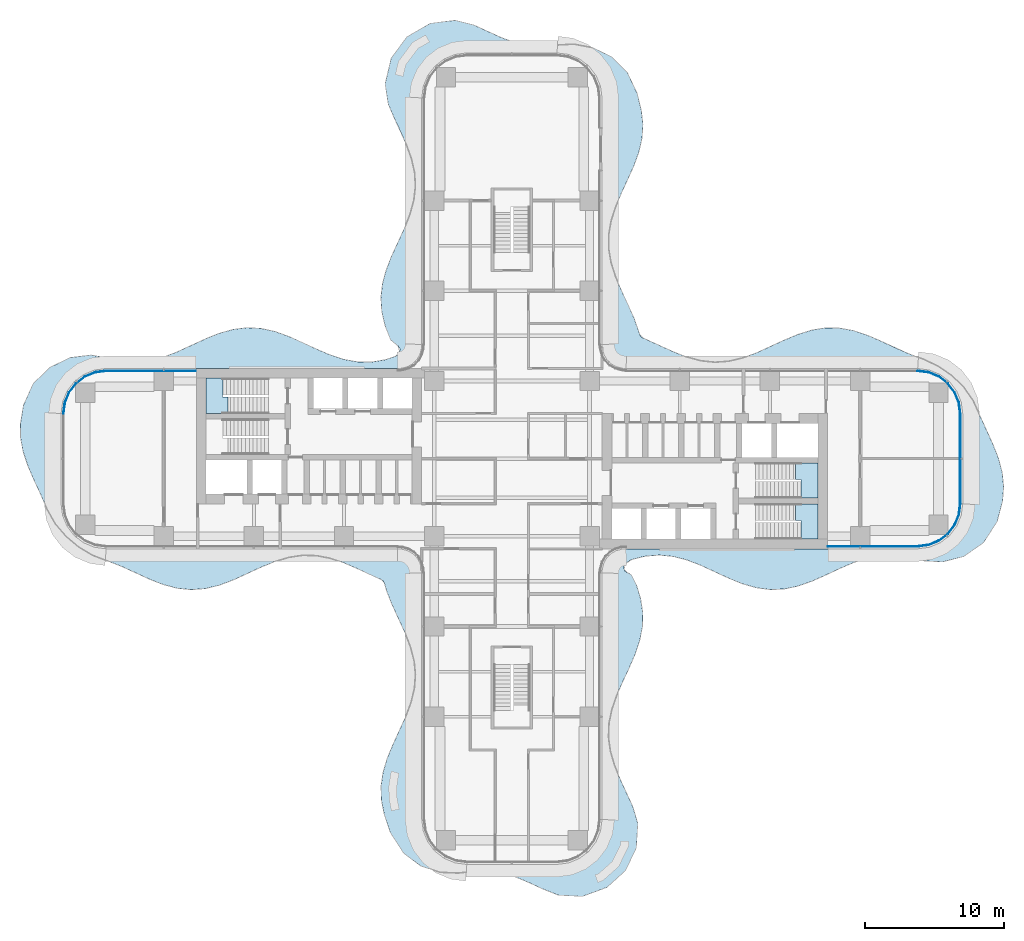
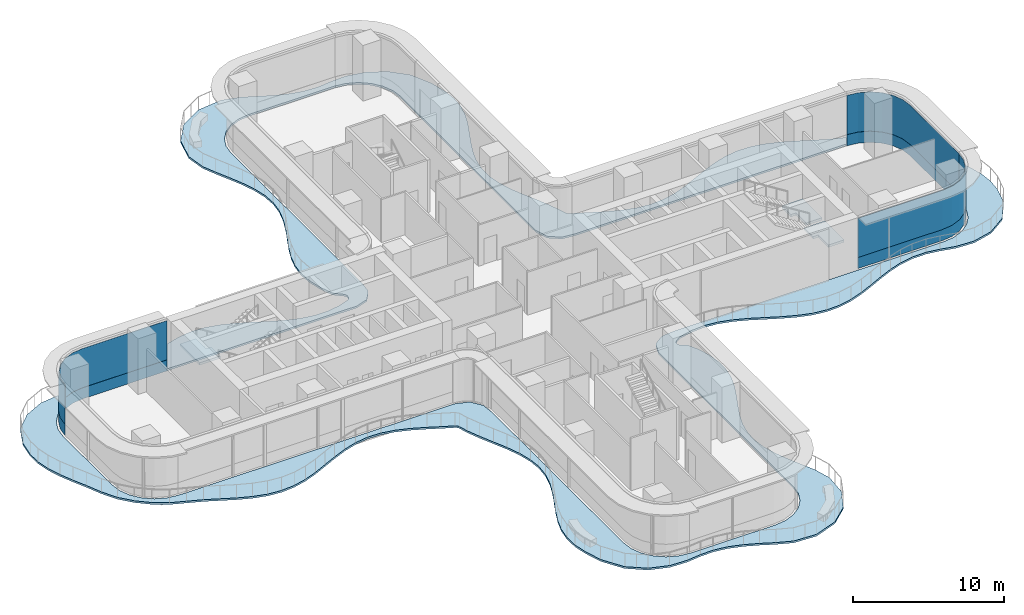
# One storey, part 15 of 22: 6 plates, 4 slabs, 6 elements without a shape of their own.
"""IFC4 building model written with IfcOpenShell, lengths in metres."""

from ifc_helpers import new_model, si_unit, direction, frame, origin, place, context, subcontext, project, spatial, polyline, outline, extrude, source, transform, mapped, material, layer, layer_set, type_object, element, aggregate, save


model = new_model("IFC4")

# Units and contexts
model_context = context("Model", 3, precision=1e-05, world=origin(), true_north=direction((0.0, 1.0)))
body_context = subcontext(model_context, "Body", "Model", "MODEL_VIEW")
ifc_project = project(units=[si_unit("LENGTHUNIT", "METRE"), si_unit("AREAUNIT", "SQUARE_METRE"), si_unit("VOLUMEUNIT", "CUBIC_METRE"), si_unit("PLANEANGLEUNIT", "RADIAN"), si_unit("MASSUNIT", "GRAM", prefix="KILO")], contexts=[model_context])

# Site, building, storey
site_placement = place(None, origin())
site = spatial("IfcSite", under=ifc_project, at=site_placement, CompositionType="ELEMENT")
building_placement = place(site_placement, origin())
building = spatial("IfcBuilding", under=site, at=building_placement, Name="Trellis Farm Tower", CompositionType="ELEMENT")
storey_placement = place(building_placement, frame((0.0, 0.0, 47.5)))
storey = spatial("IfcBuildingStorey", under=building, at=storey_placement, Name="L09", CompositionType="ELEMENT", Elevation=47.5)

# Slab
ifc_material_1 = material(Name="Concrete C40/50", Category="concrete")
ifc_layer_1 = layer(ifc_material_1, 0.14990234375)
ifc_layer_set_1 = layer_set([ifc_layer_1], Name="Balcony slab 150")
slab_type_1 = type_object("IfcSlabType", Name="Balcony slab 150", PredefinedType="FLOOR", material=ifc_layer_set_1)
slab_1_placement = place(storey_placement, frame((0.0, 0.0, -0.14990234375)))
element("IfcSlab", 1, at=slab_1_placement, inside=storey, type_object=slab_type_1, Name="Balcony slab", PredefinedType="FLOOR", context=body_context, shape_type="SweptSolid", body=[
    extrude(outline(polyline([(-9.00830078125, -9.60986328125), (-9.20166015625, -8.955810546875), (-9.2080078125, -8.94091796875), (-9.26904296875, -8.830078125), (-9.290283203125, -8.80615234375), (-9.392333984375, -8.731201171875), (-9.406494140625, -8.72314453125), (-10.111083984375, -8.413818359375), (-10.114501953125, -8.412109375), (-11.11376953125, -7.943115234375), (-11.115966796875, -7.9423828125), (-12.0927734375, -7.518798828125), (-12.098876953125, -7.5166015625), (-13.126953125, -7.172607421875), (-13.13671875, -7.170166015625), (-14.072509765625, -6.990478515625), (-14.084716796875, -6.989013671875), (-15.0703125, -6.9638671875), (-15.0830078125, -6.964599609375), (-16.07568359375, -7.112060546875), (-16.086669921875, -7.114501953125), (-17.11767578125, -7.428466796875), (-17.124755859375, -7.430908203125), (-18.1103515625, -7.84130859375), (-18.11279296875, -7.84228515625), (-20.093017578125, -8.752197265625), (-20.103271484375, -8.75634765625), (-21.08447265625, -9.12353515625), (-21.1015625, -9.128662109375), (-22.076416015625, -9.3662109375), (-22.100341796875, -9.3701171875), (-23.103271484375, -9.447021484375), (-23.1298828125, -9.44677734375), (-24.10205078125, -9.348388671875), (-24.125, -9.34423828125), (-25.100830078125, -9.08837890625), (-25.116943359375, -9.083251953125), (-26.099365234375, -8.702880859375), (-26.10791015625, -8.699462890625), (-28.10498046875, -7.77978515625), (-28.109375, -7.778076171875), (-30.241943359375, -6.95458984375), (-30.265380859375, -6.943115234375), (-31.246337890625, -6.3505859375), (-31.265380859375, -6.3369140625), (-32.125732421875, -5.611572265625), (-32.142578125, -5.594970703125), (-32.89208984375, -4.72705078125), (-32.9091796875, -4.702880859375), (-33.512939453125, -3.637451171875), (-33.520263671875, -3.622802734375), (-34.0, -2.5048828125), (-34.0009765625, -2.50244140625), (-34.469482421875, -1.503662109375), (-34.471435546875, -1.499267578125), (-34.896728515625, -0.512451171875), (-34.9013671875, -0.50048828125), (-35.22705078125, 0.478515625), (-35.232177734375, 0.498291015625), (-35.4150390625, 1.4716796875), (-35.41748046875, 1.4970703125), (-35.433837890625, 2.4697265625), (-35.431884765625, 2.49609375), (-35.21630859375, 3.82763671875), (-35.205078125, 3.865234375), (-34.53173828125, 5.360107421875), (-34.518310546875, 5.384033203125), (-34.498291015625, 5.412841796875), (-34.480224609375, 5.4345703125), (-33.344482421875, 6.551513671875), (-33.3046875, 6.57958984375), (-31.86279296875, 7.279541015625), (-31.815673828125, 7.29345703125), (-30.375732421875, 7.47216796875), (-30.331298828125, 7.470947265625), (-29.129150390625, 7.259521484375), (-29.1220703125, 7.25830078125), (-28.075927734375, 7.02099609375), (-28.064208984375, 7.019287109375), (-27.073974609375, 6.95458984375), (-27.061279296875, 6.95458984375), (-26.1318359375, 7.052490234375), (-26.12060546875, 7.054443359375), (-25.122802734375, 7.31591796875), (-25.114501953125, 7.318603515625), (-24.112060546875, 7.70751953125), (-24.10791015625, 7.709228515625), (-22.109375, 8.6298828125), (-22.1025390625, 8.6328125), (-21.101318359375, 9.034423828125), (-21.086181640625, 9.03955078125), (-20.101318359375, 9.317626953125), (-20.0791015625, 9.322021484375), (-19.101806640625, 9.443115234375), (-19.07568359375, 9.444091796875), (-18.10302734375, 9.394287109375), (-18.07861328125, 9.390869140625), (-17.1044921875, 9.177490234375), (-17.086181640625, 9.172119140625), (-16.105712890625, 8.822998046875), (-16.09521484375, 8.81884765625), (-15.10693359375, 8.38037109375), (-15.10400390625, 8.379150390625), (-14.103515625, 7.91015625), (-14.101318359375, 7.9091796875), (-13.1259765625, 7.4912109375), (-13.11962890625, 7.48876953125), (-12.090576171875, 7.15380859375), (-12.080322265625, 7.1513671875), (-11.08642578125, 6.977294921875), (-11.07373046875, 6.97607421875), (-10.08740234375, 6.973388671875), (-10.07470703125, 6.974365234375), (-9.089111328125, 7.142822265625), (-9.076904296875, 7.14599609375), (-8.35107421875, 7.400146484375), (-8.337158203125, 7.40673828125), (-8.23388671875, 7.46923828125), (-8.21142578125, 7.489990234375), (-8.14208984375, 7.5888671875), (-8.134521484375, 7.602294921875), (-8.09814453125, 7.687255859375), (-8.092529296875, 7.709716796875), (-8.07568359375, 7.88818359375), (-8.08544921875, 7.931884765625), (-8.175537109375, 8.085693359375), (-8.191650390625, 8.104736328125), (-8.73681640625, 8.5673828125), (-8.76220703125, 8.595458984375), (-8.791259765625, 8.63671875), (-8.809814453125, 8.671875), (-9.151611328125, 9.610595703125), (-9.156982421875, 9.62841796875), (-9.382080078125, 10.6103515625), (-9.385498046875, 10.634521484375), (-9.44580078125, 11.609375), (-9.4453125, 11.635498046875), (-9.3349609375, 12.608154296875), (-9.330810546875, 12.630615234375), (-9.070556640625, 13.588623046875), (-9.0654296875, 13.60400390625), (-8.672119140625, 14.60546875), (-8.668701171875, 14.613525390625), (-7.755615234375, 16.59326171875), (-7.754150390625, 16.596923828125), (-7.361083984375, 17.58154296875), (-7.3583984375, 17.58935546875), (-7.072021484375, 18.623046875), (-7.069580078125, 18.634521484375), (-6.95556640625, 19.62548828125), (-6.955078125, 19.638671875), (-7.014404296875, 20.622802734375), (-7.01611328125, 20.634765625), (-7.23779296875, 21.6162109375), (-7.240478515625, 21.625), (-7.59521484375, 22.6083984375), (-7.597412109375, 22.613525390625), (-8.037353515625, 23.600830078125), (-8.037841796875, 23.60205078125), (-8.504638671875, 24.59814453125), (-8.5068359375, 24.60302734375), (-8.913818359375, 25.559326171875), (-8.92431640625, 25.59521484375), (-9.135986328125, 26.958984375), (-9.1376953125, 26.98828125), (-9.135986328125, 27.02490234375), (-9.132080078125, 27.053466796875), (-8.71240234375, 28.830810546875), (-8.702392578125, 28.85986328125), (-8.685791015625, 28.8955078125), (-8.669921875, 28.921875), (-7.5654296875, 30.401611328125), (-7.544189453125, 30.424560546875), (-7.51416015625, 30.451171875), (-7.48876953125, 30.46923828125), (-5.8974609375, 31.3662109375), (-5.8701171875, 31.378173828125), (-5.833740234375, 31.389892578125), (-5.8046875, 31.396240234375), (-4.10693359375, 31.595703125), (-4.079345703125, 31.59619140625), (-4.043701171875, 31.593994140625), (-4.01611328125, 31.58935546875), (-2.745849609375, 31.259033203125), (-2.72119140625, 31.250244140625), (-0.763916015625, 30.354736328125), (-0.75830078125, 30.352294921875), (0.224853515625, 29.995849609375), (0.233642578125, 29.9931640625), (1.21484375, 29.768798828125), (1.227294921875, 29.766845703125), (2.271484375, 29.706298828125), (2.2841796875, 29.70654296875), (3.285400390625, 29.818603515625), (3.2939453125, 29.819091796875), (4.46044921875, 29.8818359375), (4.49658203125, 29.87939453125), (5.826171875, 29.627197265625), (5.864501953125, 29.6142578125), (7.172607421875, 28.96923828125), (7.211669921875, 28.94140625), (8.281494140625, 27.88330078125), (8.298583984375, 27.86328125), (8.318359375, 27.83544921875), (8.33154296875, 27.812744140625), (9.0234375, 26.3466796875), (9.03369140625, 26.318603515625), (9.328857421875, 25.1171875), (9.332275390625, 25.098388671875), (9.444580078125, 24.126220703125), (9.4453125, 24.100341796875), (9.38818359375, 23.12548828125), (9.384521484375, 23.10107421875), (9.162353515625, 22.119384765625), (9.156982421875, 22.101318359375), (8.798583984375, 21.11181640625), (8.7939453125, 21.1005859375), (7.88232421875, 19.108642578125), (7.881591796875, 19.106689453125), (7.464111328125, 18.12060546875), (7.461669921875, 18.114013671875), (7.1474609375, 17.1318359375), (7.14501953125, 17.12158203125), (6.97607421875, 16.139892578125), (6.974853515625, 16.127197265625), (6.974609375, 15.14111328125), (6.9755859375, 15.12841796875), (7.146728515625, 14.134521484375), (7.1494140625, 14.12451171875), (7.470947265625, 13.124267578125), (7.473388671875, 13.117919921875), (7.90087890625, 12.11376953125), (7.90185546875, 12.111328125), (8.370849609375, 11.110595703125), (8.3720703125, 11.10791015625), (8.811279296875, 10.1201171875), (8.81591796875, 10.1083984375), (9.221435546875, 8.9462890625), (9.226806640625, 8.934326171875), (9.2919921875, 8.818115234375), (9.314453125, 8.793701171875), (9.423828125, 8.7177734375), (9.435302734375, 8.711181640625), (11.5986328125, 7.724609375), (11.602294921875, 7.72314453125), (12.5869140625, 7.336669921875), (12.594970703125, 7.333984375), (13.62939453125, 7.057861328125), (13.64111328125, 7.055908203125), (14.631591796875, 6.9541015625), (14.644775390625, 6.953857421875), (15.62841796875, 7.02490234375), (15.640380859375, 7.02685546875), (16.62158203125, 7.259521484375), (16.63037109375, 7.261962890625), (17.61376953125, 7.62451171875), (17.618896484375, 7.626708984375), (19.598388671875, 8.53466796875), (19.602783203125, 8.53662109375), (20.5888671875, 8.951171875), (20.602294921875, 8.9560546875), (21.6044921875, 9.269287109375), (21.625, 9.274169921875), (22.57421875, 9.428466796875), (22.599365234375, 9.430419921875), (23.572998046875, 9.422119140625), (23.598388671875, 9.419921875), (24.578125, 9.242919921875), (24.59814453125, 9.23779296875), (25.585693359375, 8.913818359375), (25.59814453125, 8.9091796875), (26.59375, 8.48193359375), (26.59814453125, 8.47998046875), (27.59375, 8.01318359375), (27.59521484375, 8.012451171875), (28.585205078125, 7.57421875), (28.589599609375, 7.572509765625), (29.6875, 7.163330078125), (29.699951171875, 7.157958984375), (30.742919921875, 6.6591796875), (30.76318359375, 6.6474609375), (31.681884765625, 6.01611328125), (31.699951171875, 6.001708984375), (32.533447265625, 5.213134765625), (32.5537109375, 5.189453125), (33.236572265625, 4.202880859375), (33.249755859375, 4.1796875), (34.69189453125, 1.0078125), (34.6953125, 1.0), (35.083251953125, -0.001708984375), (35.088623046875, -0.017822265625), (35.345947265625, -1.00146484375), (35.35009765625, -1.024658203125), (35.447021484375, -2.000732421875), (35.447509765625, -2.026611328125), (35.372314453125, -3.02978515625), (35.367919921875, -3.056396484375), (34.98974609375, -4.5078125), (34.97021484375, -4.5517578125), (33.997314453125, -6.0478515625), (33.978759765625, -6.071044921875), (33.95263671875, -6.09765625), (33.930419921875, -6.1162109375), (32.59033203125, -7.03515625), (32.567626953125, -7.048095703125), (32.537109375, -7.06201171875), (32.51171875, -7.07080078125), (31.061279296875, -7.436279296875), (31.01708984375, -7.440673828125), (29.712890625, -7.373779296875), (29.68701171875, -7.3701171875), (28.611572265625, -7.124267578125), (28.6064453125, -7.123291015625), (27.63427734375, -6.97021484375), (27.621337890625, -6.96923828125), (26.575927734375, -6.9873046875), (26.56298828125, -6.988525390625), (25.581787109375, -7.17724609375), (25.572021484375, -7.1796875), (24.6171875, -7.498779296875), (24.611328125, -7.501220703125), (23.60693359375, -7.933837890625), (23.604736328125, -7.934814453125), (22.60498046875, -8.40380859375), (22.601806640625, -8.405517578125), (21.614013671875, -8.84033203125), (21.60302734375, -8.8447265625), (20.622802734375, -9.187744140625), (20.604248046875, -9.19287109375), (19.63037109375, -9.398193359375), (19.605712890625, -9.401123046875), (18.6328125, -9.44189453125), (18.606689453125, -9.44091796875), (17.62939453125, -9.310791015625), (17.607421875, -9.30615234375), (16.6220703125, -9.0205078125), (16.607421875, -9.015625), (15.60595703125, -8.60888671875), (15.599853515625, -8.606201171875), (13.600341796875, -7.685791015625), (13.595947265625, -7.68408203125), (12.631591796875, -7.31298828125), (12.62353515625, -7.310302734375), (11.64208984375, -7.05419921875), (11.630615234375, -7.05224609375), (10.647705078125, -6.953857421875), (10.634521484375, -6.95361328125), (9.645263671875, -7.027587890625), (9.63330078125, -7.029541015625), (8.680908203125, -7.258544921875), (8.667724609375, -7.262939453125), (8.565185546875, -7.308837890625), (8.553466796875, -7.3154296875), (8.216552734375, -7.547119140625), (8.2001953125, -7.5625), (8.093505859375, -7.6982421875), (8.07763671875, -7.7412109375), (8.072265625, -7.931884765625), (8.080810546875, -7.96826171875), (8.14208984375, -8.084716796875), (8.165771484375, -8.111328125), (8.282958984375, -8.19140625), (8.299072265625, -8.19970703125), (8.48046875, -8.2666015625), (8.528076171875, -8.295166015625), (8.577392578125, -8.3388671875), (8.611572265625, -8.383056640625), (8.982177734375, -9.1123046875), (8.991943359375, -9.13671875), (9.280517578125, -10.0859375), (9.285400390625, -10.10693359375), (9.433837890625, -11.079833984375), (9.435546875, -11.105712890625), (9.4150390625, -12.079345703125), (9.412353515625, -12.1044921875), (9.223876953125, -13.084716796875), (9.218505859375, -13.104248046875), (8.885498046875, -14.092529296875), (8.881103515625, -14.104248046875), (8.44873046875, -15.100341796875), (8.447021484375, -15.1044921875), (7.980224609375, -16.09912109375), (7.9794921875, -16.1005859375), (7.546875, -17.087646484375), (7.544921875, -17.093017578125), (7.204345703125, -18.076171875), (7.20166015625, -18.08544921875), (6.9990234375, -19.06689453125), (6.99755859375, -19.0791015625), (6.9599609375, -20.06396484375), (6.960693359375, -20.076904296875), (7.095947265625, -21.069091796875), (7.098388671875, -21.080078125), (7.390869140625, -22.078857421875), (7.393310546875, -22.086181640625), (7.809326171875, -23.104736328125), (7.810546875, -23.107666015625), (8.716796875, -25.076171875), (8.724609375, -25.096435546875), (9.072509765625, -26.278564453125), (9.07763671875, -26.3046875), (9.081298828125, -26.3388671875), (9.08203125, -26.365478515625), (8.96484375, -28.055908203125), (8.9599609375, -28.084228515625), (8.9501953125, -28.120361328125), (8.940185546875, -28.1474609375), (8.183837890625, -29.693359375), (8.168701171875, -29.718017578125), (8.14599609375, -29.747802734375), (8.126220703125, -29.76904296875), (6.890380859375, -30.873046875), (6.867431640625, -30.889892578125), (6.8359375, -30.90869140625), (6.810302734375, -30.9208984375), (5.114013671875, -31.540283203125), (5.085205078125, -31.547607421875), (5.047607421875, -31.55322265625), (5.01708984375, -31.554931640625), (3.39013671875, -31.47021484375), (3.343017578125, -31.460205078125), (2.257568359375, -31.03369140625), (2.249267578125, -31.030029296875), (1.2578125, -30.568603515625), (1.2548828125, -30.5673828125), (0.26953125, -30.161376953125), (0.26220703125, -30.158935546875), (-0.76953125, -29.852294921875), (-0.780517578125, -29.849853515625), (-1.77294921875, -29.71142578125), (-1.78564453125, -29.710693359375), (-2.76025390625, -29.741455078125), (-2.7666015625, -29.741943359375), (-3.834716796875, -29.86767578125), (-3.85791015625, -29.868408203125), (-5.128173828125, -29.8212890625), (-5.168212890625, -29.814208984375), (-6.525146484375, -29.379638671875), (-6.56884765625, -29.357421875), (-7.787353515625, -28.4521484375), (-7.8076171875, -28.43408203125), (-7.831298828125, -28.408447265625), (-7.848388671875, -28.38671875), (-8.765869140625, -26.944580078125), (-8.781982421875, -26.910888671875), (-9.214111328125, -25.59521484375), (-9.218505859375, -25.577392578125), (-9.406982421875, -24.62451171875), (-9.409912109375, -24.599609375), (-9.4384765625, -23.626708984375), (-9.43701171875, -23.6005859375), (-9.294921875, -22.622802734375), (-9.290283203125, -22.601318359375), (-8.994873046875, -21.615478515625), (-8.98974609375, -21.601318359375), (-8.576904296875, -20.599853515625), (-8.57470703125, -20.594482421875), (-7.6552734375, -18.593994140625), (-7.6533203125, -18.5888671875), (-7.277587890625, -17.5869140625), (-7.275146484375, -17.578369140625), (-7.032470703125, -16.58154296875), (-7.030517578125, -16.569580078125), (-6.953369140625, -15.580078125), (-6.95361328125, -15.5673828125), (-7.039794921875, -14.638427734375), (-7.04150390625, -14.627197265625), (-7.292236328125, -13.629638671875), (-7.294921875, -13.62109375), (-7.67626953125, -12.619140625), (-7.67822265625, -12.614501953125), (-8.601806640625, -10.607177734375), (-8.604248046875, -10.60107421875), (-9.00341796875, -9.623779296875), (-9.00830078125, -9.60986328125)]), holes=[polyline([(-7.2119140625, -6.8232421875), (-7.16650390625, -6.856689453125), (-7.134033203125, -6.8896484375), (-6.644287109375, -7.569091796875), (-6.6259765625, -7.603271484375), (-6.6083984375, -7.64892578125), (-6.599365234375, -7.686767578125), (-6.500732421875, -8.61083984375), (-6.50048828125, -8.615478515625), (-6.50048828125, -26.0), (-6.389892578125, -26.84130859375), (-6.065185546875, -27.625244140625), (-5.548583984375, -28.298583984375), (-4.875244140625, -28.815185546875), (-4.09130859375, -29.139892578125), (-3.25, -29.25048828125), (3.25, -29.25048828125), (4.09130859375, -29.139892578125), (4.875244140625, -28.815185546875), (5.548583984375, -28.298583984375), (6.065185546875, -27.625244140625), (6.389892578125, -26.84130859375), (6.50048828125, -26.0), (6.50048828125, -23.778076171875), (6.5078125, -8.16259765625), (6.515380859375, -8.115478515625), (6.802490234375, -7.251953125), (6.824462890625, -7.209716796875), (6.858154296875, -7.16455078125), (6.89111328125, -7.132080078125), (7.571533203125, -6.6435546875), (7.60546875, -6.625244140625), (7.651123046875, -6.60791015625), (7.688720703125, -6.598876953125), (8.61328125, -6.500732421875), (8.617919921875, -6.50048828125), (29.25, -6.50048828125), (30.09130859375, -6.389892578125), (30.875244140625, -6.065185546875), (31.548583984375, -5.548583984375), (32.065185546875, -4.875244140625), (32.389892578125, -4.09130859375), (32.50048828125, -3.25), (32.50048828125, 3.25), (32.389892578125, 4.09130859375), (32.065185546875, 4.875244140625), (31.548583984375, 5.548583984375), (30.875244140625, 6.065185546875), (30.09130859375, 6.389892578125), (29.25, 6.50048828125), (8.617919921875, 6.50048828125), (8.61328125, 6.500732421875), (7.688720703125, 6.598876953125), (7.651123046875, 6.60791015625), (7.60546875, 6.625244140625), (7.571533203125, 6.6435546875), (6.89111328125, 7.132080078125), (6.858154296875, 7.16455078125), (6.824462890625, 7.209716796875), (6.802490234375, 7.251953125), (6.515380859375, 8.115478515625), (6.5078125, 8.16259765625), (6.50048828125, 23.7255859375), (6.50048828125, 26.0), (6.389892578125, 26.84130859375), (6.065185546875, 27.625244140625), (5.548583984375, 28.298583984375), (4.875244140625, 28.815185546875), (4.09130859375, 29.139892578125), (3.25, 29.25048828125), (-3.25, 29.25048828125), (-4.09130859375, 29.139892578125), (-4.875244140625, 28.815185546875), (-5.548583984375, 28.298583984375), (-6.065185546875, 27.625244140625), (-6.389892578125, 26.84130859375), (-6.50048828125, 26.0), (-6.50048828125, 8.615478515625), (-6.500732421875, 8.61083984375), (-6.599365234375, 7.686767578125), (-6.6083984375, 7.64892578125), (-6.6259765625, 7.603271484375), (-6.644287109375, 7.569091796875), (-7.134033203125, 6.8896484375), (-7.16650390625, 6.856689453125), (-7.2119140625, 6.8232421875), (-7.25390625, 6.801513671875), (-8.11767578125, 6.51513671875), (-8.164794921875, 6.507568359375), (-27.41845703125, 6.50048828125), (-29.25, 6.50048828125), (-30.09130859375, 6.389892578125), (-30.875244140625, 6.065185546875), (-31.548583984375, 5.548583984375), (-32.065185546875, 4.875244140625), (-32.389892578125, 4.09130859375), (-32.50048828125, 3.25), (-32.50048828125, -3.25), (-32.389892578125, -4.09130859375), (-32.065185546875, -4.875244140625), (-31.548583984375, -5.548583984375), (-30.875244140625, -6.065185546875), (-30.09130859375, -6.389892578125), (-29.25, -6.50048828125), (-27.418701171875, -6.50048828125), (-8.164794921875, -6.507568359375), (-8.11767578125, -6.51513671875), (-7.25390625, -6.801513671875), (-7.2119140625, -6.8232421875)])]), origin(), (0.0, 0.0, 1.0), 0.14990234375),
])

# Stair, slab
ifc_material_2 = material(Name="Concrete C50/60", Category="concrete")
stair_type = type_object("IfcStairType", Name="CORE EXIT STAIR 26 RISERS 173 MM", PredefinedType="HALF_TURN_STAIR", material=ifc_material_2)
placement_1 = place(storey_placement, origin())
stair_1 = element("IfcStair", 2, at=placement_1, inside=storey, type_object=stair_type, Name="Exit stair E1", PredefinedType="HALF_TURN_STAIR")
ifc_layer_2 = layer(ifc_material_2, 0.18994140625)
ifc_layer_set_2 = layer_set([ifc_layer_2], Name="CORE STAIR LANDING 190 CONCRETE C50/60")
slab_type_2 = type_object("IfcSlabType", Name="CORE STAIR LANDING 190 CONCRETE C50/60", PredefinedType="LANDING", material=ifc_layer_set_2)
shared_shape_1 = source(origin(), body_context, "Body", "SweptSolid", [
    extrude(outline(polyline([(20.840087890625, -5.800048828125), (20.840087890625, -4.60009765625), (20.85009765625, -4.60009765625), (20.85009765625, -4.449951171875), (20.453125, -4.449951171875), (20.453125, -3.25), (20.85009765625, -3.25), (22.050048828125, -3.25), (22.050048828125, -5.800048828125), (20.85009765625, -5.800048828125), (20.840087890625, -5.800048828125)])), origin(), (0.0, 0.0, 1.0), 0.18994140625),
])
placement_2 = place(storey_placement, frame((0.0, 0.0, 2.06005859375)))
slab_2 = element("IfcSlab", 3, at=placement_2, type_object=slab_type_2, Name="STE1 landing 1", PredefinedType="LANDING", context=body_context, shape_type="MappedRepresentation", body=[
    mapped(shared_shape_1, transform((0.0, 0.0, 0.0))),
])
aggregate(stair_1, [slab_2])

stair_2 = element("IfcStair", 4, at=placement_1, inside=storey, type_object=stair_type, Name="Exit stair E2", PredefinedType="HALF_TURN_STAIR")
shared_shape_2 = source(origin(), body_context, "Body", "SweptSolid", [
    extrude(outline(polyline([(20.840087890625, -2.85009765625), (20.840087890625, -1.64990234375), (20.85009765625, -1.64990234375), (20.85009765625, -1.5), (20.453125, -1.5), (20.453125, -0.300048828125), (20.85009765625, -0.300048828125), (22.050048828125, -0.300048828125), (22.050048828125, -2.85009765625), (20.85009765625, -2.85009765625), (20.840087890625, -2.85009765625)])), origin(), (0.0, 0.0, 1.0), 0.18994140625),
])
slab_3 = element("IfcSlab", 5, at=placement_2, type_object=slab_type_2, Name="STE2 landing 1", PredefinedType="LANDING", context=body_context, shape_type="MappedRepresentation", body=[
    mapped(shared_shape_2, transform((0.0, 0.0, 0.0))),
])
aggregate(stair_2, [slab_3])

stair_3 = element("IfcStair", 6, at=placement_1, inside=storey, type_object=stair_type, Name="Exit stair W1", PredefinedType="HALF_TURN_STAIR")
shared_shape_3 = source(origin(), body_context, "Body", "SweptSolid", [
    extrude(outline(polyline([(-20.453125, 4.449951171875), (-20.453125, 3.25), (-20.85009765625, 3.25), (-22.050048828125, 3.25), (-22.050048828125, 5.800048828125), (-20.85009765625, 5.800048828125), (-20.840087890625, 5.800048828125), (-20.840087890625, 4.60009765625), (-20.85009765625, 4.60009765625), (-20.85009765625, 4.449951171875), (-20.453125, 4.449951171875)])), origin(), (0.0, 0.0, 1.0), 0.18994140625),
])
slab_4 = element("IfcSlab", 7, at=placement_2, type_object=slab_type_2, Name="STW1 landing 1", PredefinedType="LANDING", context=body_context, shape_type="MappedRepresentation", body=[
    mapped(shared_shape_3, transform((0.0, 0.0, 0.0))),
])
aggregate(stair_3, [slab_4])

# Curtain wall, plates
ifc_material_3 = material(Name="Aluminium and glass curtain wall", Category="aluminium")
ifc_layer_3 = layer(ifc_material_3, 0.18994140625)
ifc_layer_set_3 = layer_set([ifc_layer_3], Name="RIBBON CURTAIN WALL CW1")
curtain_wall_type = type_object("IfcCurtainWallType", Name="RIBBON CURTAIN WALL CW1", PredefinedType="NOTDEFINED", material=ifc_layer_set_3)
curtain_wall_1 = element("IfcCurtainWall", 8, at=placement_1, inside=storey, type_object=curtain_wall_type, Name="CW1 005", PredefinedType="NOTDEFINED")
ifc_material_4 = material(Name="Clear insulated glass", Category="glass")
ifc_layer_4 = layer(ifc_material_4, 0.0400390625)
ifc_layer_set_4 = layer_set([ifc_layer_4], Name="CW1 GLASS PANEL 40")
plate_type_1 = type_object("IfcPlateType", Name="CW1 GLASS PANEL 40", PredefinedType="CURTAIN_PANEL", material=ifc_layer_set_4)
shared_shape_4 = source(origin(), body_context, "Body", "SweptSolid", [
    extrude(outline(polyline([(22.780029296875, -6.35009765625), (29.240234375, -6.35009765625), (30.052001953125, -6.2431640625), (30.79931640625, -5.93359375), (31.441162109375, -5.441162109375), (31.93359375, -4.79931640625), (32.2431640625, -4.052001953125), (32.35009765625, -3.240234375), (32.31005859375, -3.237548828125), (32.2041015625, -4.04150390625), (31.898681640625, -4.779296875), (31.41259765625, -5.41259765625), (30.779296875, -5.898681640625), (30.04150390625, -6.2041015625), (29.237548828125, -6.31005859375), (22.780029296875, -6.31005859375), (22.780029296875, -6.35009765625)])), origin(), (0.0, 0.0, 1.0), 3.170166015625),
])
placement_3 = place(storey_placement, frame((0.0, 0.0, 0.89990234375)))
plate_1 = element("IfcPlate", 9, at=placement_3, type_object=plate_type_1, Name="PL1 005", PredefinedType="CURTAIN_PANEL", context=body_context, shape_type="MappedRepresentation", body=[
    mapped(shared_shape_4, transform((0.0, 0.0, 0.0))),
])
ifc_material_5 = material(Name="Sandstone faced insulated panel", Category="masonry")
ifc_layer_5 = layer(ifc_material_5, 0.050048828125)
ifc_layer_set_5 = layer_set([ifc_layer_5], Name="CW1 STONE SPANDREL PANEL 50")
plate_type_2 = type_object("IfcPlateType", Name="CW1 STONE SPANDREL PANEL 50", PredefinedType="CURTAIN_PANEL", material=ifc_layer_set_5)
shared_shape_5 = source(origin(), body_context, "Body", "SweptSolid", [
    extrude(outline(polyline([(22.780029296875, -6.35009765625), (29.240234375, -6.35009765625), (30.052001953125, -6.2431640625), (30.79931640625, -5.93359375), (31.441162109375, -5.441162109375), (31.93359375, -4.79931640625), (32.2431640625, -4.052001953125), (32.35009765625, -3.240234375), (32.300048828125, -3.23681640625), (32.1943359375, -4.0390625), (31.889892578125, -4.774169921875), (31.405517578125, -5.405517578125), (30.774169921875, -5.889892578125), (30.0390625, -6.1943359375), (29.23681640625, -6.300048828125), (22.780029296875, -6.300048828125), (22.780029296875, -6.35009765625)])), origin(), (0.0, 0.0, 1.0), 0.89990234375),
])
plate_2 = element("IfcPlate", 10, at=placement_1, type_object=plate_type_2, Name="PS1 005", PredefinedType="CURTAIN_PANEL", context=body_context, shape_type="MappedRepresentation", body=[
    mapped(shared_shape_5, transform((0.0, 0.0, 0.0))),
])
aggregate(curtain_wall_1, [plate_1, plate_2])

curtain_wall_2 = element("IfcCurtainWall", 11, at=placement_1, inside=storey, type_object=curtain_wall_type, Name="CW1 012", PredefinedType="NOTDEFINED")
shared_shape_6 = source(origin(), body_context, "Body", "SweptSolid", [
    extrude(outline(polyline([(-22.780029296875, 6.35009765625), (-29.240234375, 6.35009765625), (-30.052001953125, 6.2431640625), (-30.79931640625, 5.93359375), (-31.441162109375, 5.441162109375), (-31.93359375, 4.79931640625), (-32.2431640625, 4.052001953125), (-32.35009765625, 3.240234375), (-32.31005859375, 3.237548828125), (-32.2041015625, 4.04150390625), (-31.898681640625, 4.779296875), (-31.41259765625, 5.41259765625), (-30.779296875, 5.898681640625), (-30.04150390625, 6.2041015625), (-29.237548828125, 6.31005859375), (-22.780029296875, 6.31005859375), (-22.780029296875, 6.35009765625)])), origin(), (0.0, 0.0, 1.0), 3.170166015625),
])
plate_3 = element("IfcPlate", 12, at=placement_3, type_object=plate_type_1, Name="PL1 012", PredefinedType="CURTAIN_PANEL", context=body_context, shape_type="MappedRepresentation", body=[
    mapped(shared_shape_6, transform((0.0, 0.0, 0.0))),
])
shared_shape_7 = source(origin(), body_context, "Body", "SweptSolid", [
    extrude(outline(polyline([(-22.780029296875, 6.35009765625), (-29.240234375, 6.35009765625), (-30.052001953125, 6.2431640625), (-30.79931640625, 5.93359375), (-31.441162109375, 5.441162109375), (-31.93359375, 4.79931640625), (-32.2431640625, 4.052001953125), (-32.35009765625, 3.240234375), (-32.300048828125, 3.23681640625), (-32.1943359375, 4.0390625), (-31.889892578125, 4.774169921875), (-31.405517578125, 5.405517578125), (-30.774169921875, 5.889892578125), (-30.0390625, 6.1943359375), (-29.23681640625, 6.300048828125), (-22.780029296875, 6.300048828125), (-22.780029296875, 6.35009765625)])), origin(), (0.0, 0.0, 1.0), 0.89990234375),
])
plate_4 = element("IfcPlate", 13, at=placement_1, type_object=plate_type_2, Name="PS1 012", PredefinedType="CURTAIN_PANEL", context=body_context, shape_type="MappedRepresentation", body=[
    mapped(shared_shape_7, transform((0.0, 0.0, 0.0))),
])
aggregate(curtain_wall_2, [plate_3, plate_4])

curtain_wall_3 = element("IfcCurtainWall", 14, at=placement_1, inside=storey, type_object=curtain_wall_type, Name="CW1 006", PredefinedType="NOTDEFINED")
shared_shape_8 = source(origin(), body_context, "Body", "SweptSolid", [
    extrude(outline(polyline([(32.35009765625, -3.240234375), (32.35009765625, 3.240234375), (32.2431640625, 4.052001953125), (31.93359375, 4.79931640625), (31.441162109375, 5.441162109375), (30.79931640625, 5.93359375), (30.052001953125, 6.2431640625), (29.240234375, 6.35009765625), (29.237548828125, 6.31005859375), (30.04150390625, 6.2041015625), (30.779296875, 5.898681640625), (31.41259765625, 5.41259765625), (31.898681640625, 4.779296875), (32.2041015625, 4.04150390625), (32.31005859375, 3.237548828125), (32.31005859375, -3.237548828125), (32.35009765625, -3.240234375)])), origin(), (0.0, 0.0, 1.0), 3.170166015625),
])
plate_5 = element("IfcPlate", 15, at=placement_3, type_object=plate_type_1, Name="PL1 006", PredefinedType="CURTAIN_PANEL", context=body_context, shape_type="MappedRepresentation", body=[
    mapped(shared_shape_8, transform((0.0, 0.0, 0.0))),
])
shared_shape_9 = source(origin(), body_context, "Body", "SweptSolid", [
    extrude(outline(polyline([(32.35009765625, -3.240234375), (32.35009765625, 3.240234375), (32.2431640625, 4.052001953125), (31.93359375, 4.79931640625), (31.441162109375, 5.441162109375), (30.79931640625, 5.93359375), (30.052001953125, 6.2431640625), (29.240234375, 6.35009765625), (29.23681640625, 6.300048828125), (30.0390625, 6.1943359375), (30.774169921875, 5.889892578125), (31.405517578125, 5.405517578125), (31.889892578125, 4.774169921875), (32.1943359375, 4.0390625), (32.300048828125, 3.23681640625), (32.300048828125, -3.23681640625), (32.35009765625, -3.240234375)])), origin(), (0.0, 0.0, 1.0), 0.89990234375),
])
plate_6 = element("IfcPlate", 16, at=placement_1, type_object=plate_type_2, Name="PS1 006", PredefinedType="CURTAIN_PANEL", context=body_context, shape_type="MappedRepresentation", body=[
    mapped(shared_shape_9, transform((0.0, 0.0, 0.0))),
])
aggregate(curtain_wall_3, [plate_5, plate_6])

save(model, "model.ifc")
